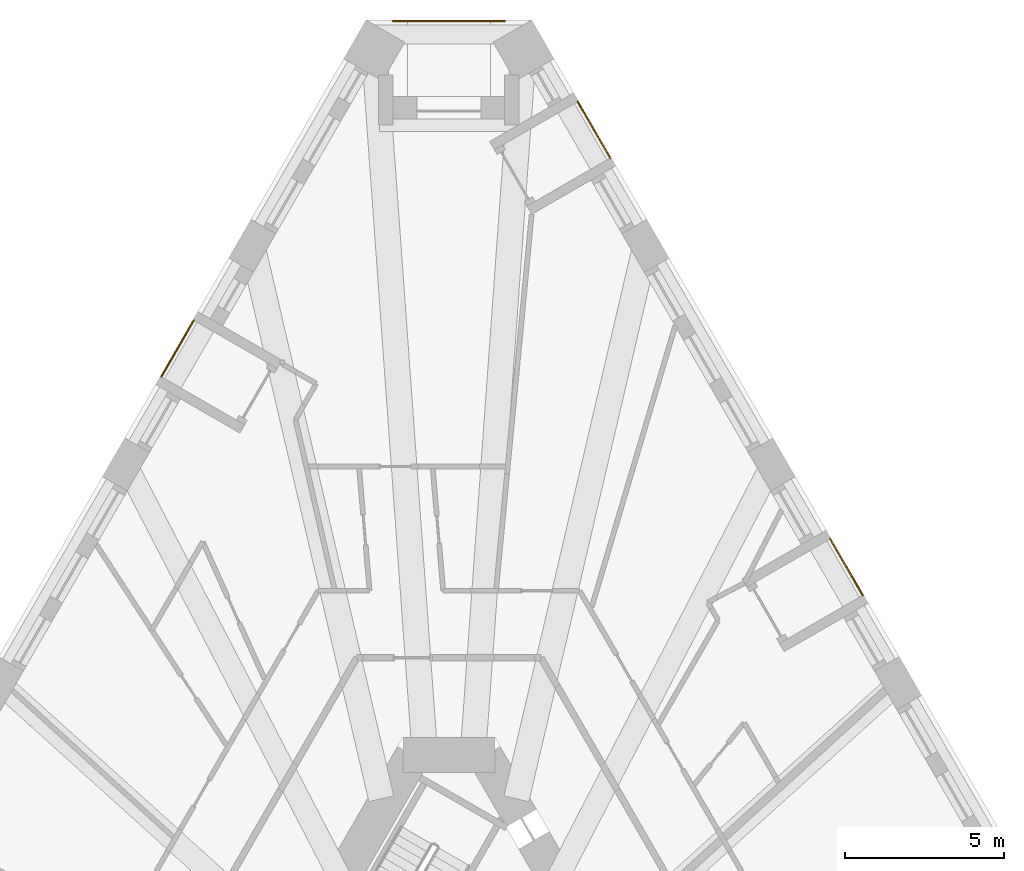
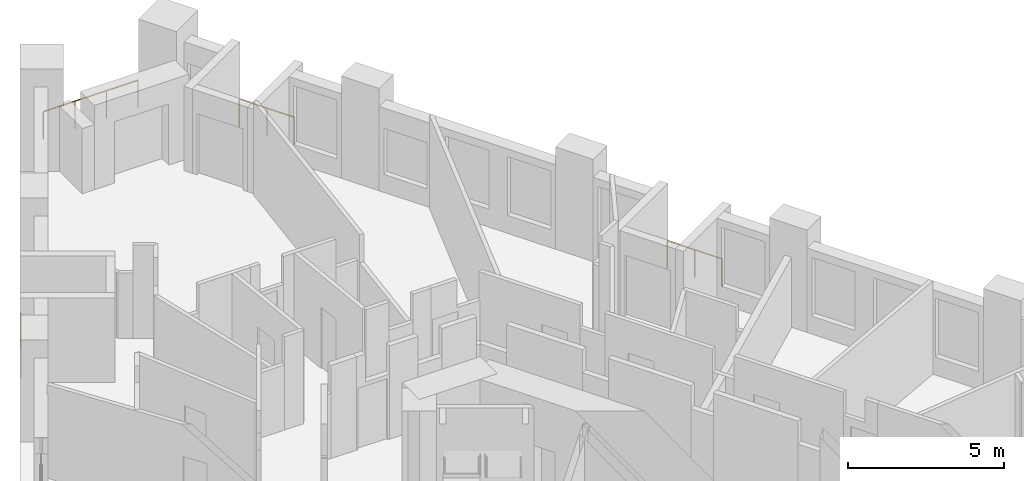
# One storey, part 14 of 14: 4 railings.
"""IFC4 building model written with IfcOpenShell, lengths in metres."""

from ifc_helpers import new_model, si_unit, direction, frame, origin, origin_2d, place, context, subcontext, project, spatial, circle, extrude, material, type_object, element, save


model = new_model("IFC4")

# Units and contexts
model_context = context("Model", 3, precision=1e-05, world=origin(), true_north=direction((0.0, 1.0)))
body_context = subcontext(model_context, "Body", "Model", "MODEL_VIEW")
ifc_project = project(units=[si_unit("LENGTHUNIT", "METRE"), si_unit("AREAUNIT", "SQUARE_METRE"), si_unit("VOLUMEUNIT", "CUBIC_METRE"), si_unit("PLANEANGLEUNIT", "RADIAN"), si_unit("MASSUNIT", "GRAM", prefix="KILO")], contexts=[model_context])

# Site, building, storey
site_placement = place(None, origin())
site = spatial("IfcSite", under=ifc_project, at=site_placement, CompositionType="ELEMENT")
building_placement = place(site_placement, origin())
building = spatial("IfcBuilding", under=site, at=building_placement, Name="Tramontana Tower", CompositionType="ELEMENT")
storey_placement = place(building_placement, frame((0.0, 0.0, 30.0)))
storey = spatial("IfcBuildingStorey", under=building, at=storey_placement, Name="L05", CompositionType="ELEMENT", Elevation=30.0)

# Railings
ifc_material = material(Name="Laminated glass balustrade", Category="glass")
railing_type = type_object("IfcRailingType", Name="GD1 Loggia glass balustrade 1100", PredefinedType="BALUSTRADE", material=ifc_material)
railing_1_placement = place(storey_placement, frame((-8.000732421875, 24.082275390625, 0.0)))
element("IfcRailing", 1, at=railing_1_placement, inside=storey, type_object=railing_type, Name="Loggia balustrade L05 G0S0.4", PredefinedType="BALUSTRADE", context=body_context, shape_type="SweptSolid", body=[
    extrude(circle(Radius=0.02392578125, at=origin_2d()), frame((0.0, 0.0, 1.076171875), z_axis=(-0.499950448838, -0.866054010271, 0.0), x_axis=(0.866054010271, -0.499950448838, 0.0)), (0.0, 0.0, 1.0), 2.039306640625),
    extrude(circle(Radius=0.02099609375, at=origin_2d()), origin(), (0.0, 0.0, 1.0), 1.052001953125),
    extrude(circle(Radius=0.02099609375, at=origin_2d()), frame((-0.509765625, -0.883056640625, 0.0)), (0.0, 0.0, 1.0), 1.052001953125),
    extrude(circle(Radius=0.02099609375, at=origin_2d()), frame((-1.01953125, -1.76611328125, 0.0)), (0.0, 0.0, 1.0), 1.052001953125),
])
railing_2_placement = place(storey_placement, frame((12.979248046875, 15.458984375, 0.0)))
element("IfcRailing", 2, at=railing_2_placement, inside=storey, type_object=railing_type, Name="Loggia balustrade L05 G0S2.13", PredefinedType="BALUSTRADE", context=body_context, shape_type="SweptSolid", body=[
    extrude(circle(Radius=0.02392578125, at=origin_2d()), frame((0.0, 0.0, 1.076171875), z_axis=(-0.499950448838, 0.866054010271, 0.0), x_axis=(-0.866054010271, -0.499950448838, 0.0)), (0.0, 0.0, 1.0), 2.039306640625),
    extrude(circle(Radius=0.02099609375, at=origin_2d()), origin(), (0.0, 0.0, 1.0), 1.052001953125),
    extrude(circle(Radius=0.02099609375, at=origin_2d()), frame((-0.509765625, 0.883056640625, 0.0)), (0.0, 0.0, 1.0), 1.052001953125),
    extrude(circle(Radius=0.02099609375, at=origin_2d()), frame((-1.01953125, 1.76611328125, 0.0)), (0.0, 0.0, 1.0), 1.052001953125),
])
railing_3_placement = place(storey_placement, frame((5.0615234375, 29.17333984375, 0.0)))
element("IfcRailing", 3, at=railing_3_placement, inside=storey, type_object=railing_type, Name="Loggia balustrade L05 G0S2.19", PredefinedType="BALUSTRADE", context=body_context, shape_type="SweptSolid", body=[
    extrude(circle(Radius=0.02392578125, at=origin_2d()), frame((0.0, 0.0, 1.076171875), z_axis=(-0.500040236659, 0.866002171892, 0.0), x_axis=(-0.866002171892, -0.500040236659, 0.0)), (0.0, 0.0, 1.0), 2.039306640625),
    extrude(circle(Radius=0.02099609375, at=origin_2d()), origin(), (0.0, 0.0, 1.0), 1.052001953125),
    extrude(circle(Radius=0.02099609375, at=origin_2d()), frame((-0.509765625, 0.883056640625, 0.0)), (0.0, 0.0, 1.0), 1.052001953125),
    extrude(circle(Radius=0.02099609375, at=origin_2d()), frame((-1.019775390625, 1.76611328125, 0.0)), (0.0, 0.0, 1.0), 1.052001953125),
])
railing_4_placement = place(storey_placement, frame((-1.75, 33.469970703125, 0.0)))
element("IfcRailing", 4, at=railing_4_placement, inside=storey, type_object=railing_type, Name="Corner loggia balustrade L05 K00", PredefinedType="BALUSTRADE", context=body_context, shape_type="SweptSolid", body=[
    extrude(circle(Radius=0.02392578125, at=origin_2d()), frame((0.0, 0.0, 1.076171875), z_axis=(1.0, 0.0, 0.0), x_axis=(0.0, 1.0, 0.0)), (0.0, 0.0, 1.0), 3.5),
    extrude(circle(Radius=0.02099609375, at=origin_2d()), origin(), (0.0, 0.0, 1.0), 1.052001953125),
    extrude(circle(Radius=0.02099609375, at=origin_2d()), frame((1.166748046875, 0.0, 0.0)), (0.0, 0.0, 1.0), 1.052001953125),
    extrude(circle(Radius=0.02099609375, at=origin_2d()), frame((2.333251953125, 0.0, 0.0)), (0.0, 0.0, 1.0), 1.052001953125),
    extrude(circle(Radius=0.02099609375, at=origin_2d()), frame((3.5, 0.0, 0.0)), (0.0, 0.0, 1.0), 1.052001953125),
])

save(model, "model.ifc")
